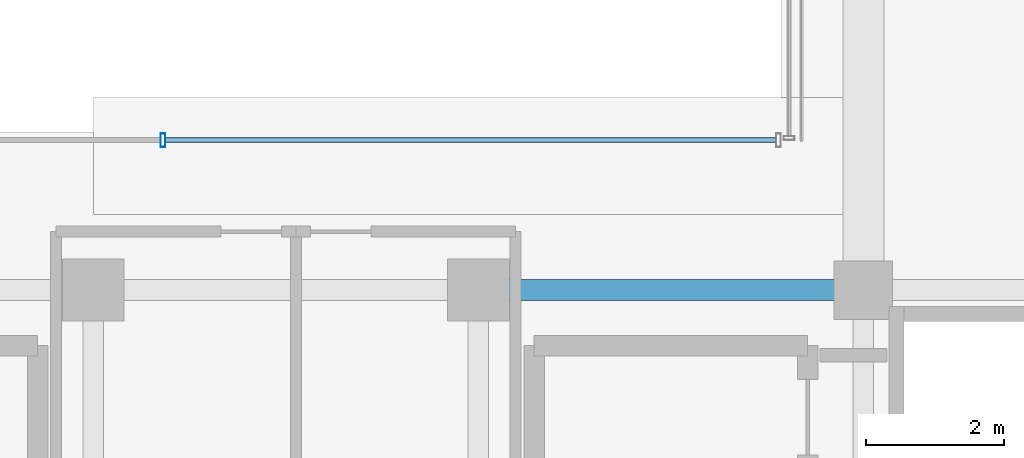
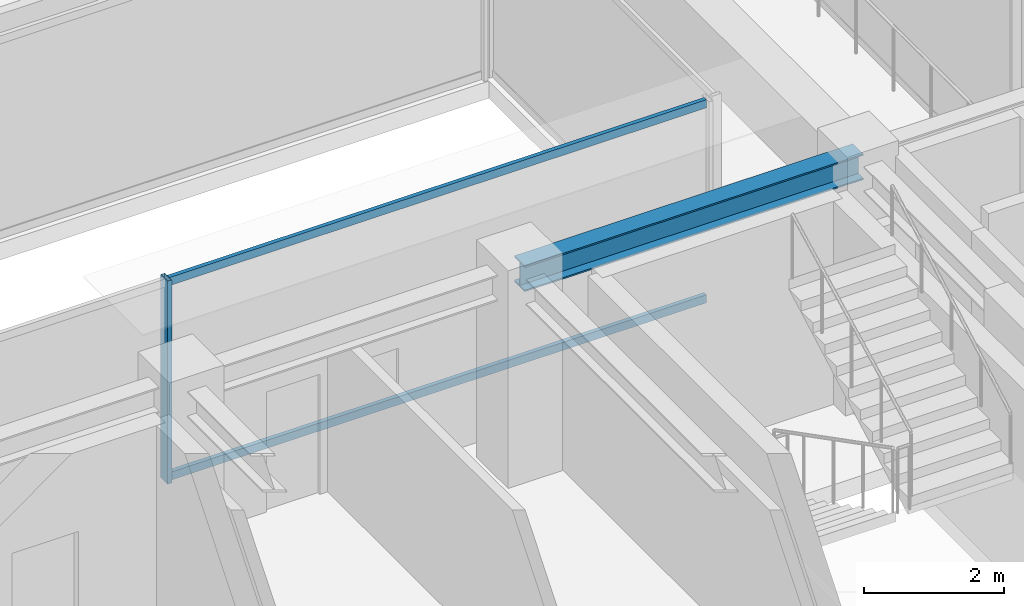
# One storey, part 13 of 41: 3 members, 1 beam, 1 element without a shape of its own.
"""IFC4 building model written with IfcOpenShell, lengths in metres."""

from ifc_helpers import new_model, si_unit, direction, frame, origin, origin_2d, place, context, subcontext, project, spatial, hollow_rectangle, i_section, extrude, source, transform, mapped, material, material_profile, profile_set, type_object, element, aggregate, save


model = new_model("IFC4")

# Units and contexts
model_context = context("Model", 3, precision=1e-05, world=origin(), true_north=direction((0.0, 1.0)))
body_context = subcontext(model_context, "Body", "Model", "MODEL_VIEW")
ifc_project = project(units=[si_unit("LENGTHUNIT", "METRE"), si_unit("AREAUNIT", "SQUARE_METRE"), si_unit("VOLUMEUNIT", "CUBIC_METRE"), si_unit("PLANEANGLEUNIT", "RADIAN"), si_unit("MASSUNIT", "GRAM", prefix="KILO")], contexts=[model_context])

# Site, building, storey
site_placement = place(None, origin())
site = spatial("IfcSite", under=ifc_project, at=site_placement, CompositionType="ELEMENT")
building_placement = place(site_placement, origin())
building = spatial("IfcBuilding", under=site, at=building_placement, Name="Nahalor Promenade Grand Hotel", CompositionType="ELEMENT")
storey_placement = place(building_placement, frame((0.0, 0.0, 304.199951171875)))
storey = spatial("IfcBuildingStorey", under=building, at=storey_placement, Name="L78", CompositionType="ELEMENT", Elevation=304.199951171875)

# Beam
ifc_material_1 = material(Name="Steel S355JR", Category="steel")
ifc_material_profile_1 = material_profile(ifc_material_1, i_section(OverallWidth=0.3, OverallDepth=0.45, WebThickness=0.014, FlangeThickness=0.026, at=origin_2d()), Name="HEB 450")
ifc_profile_set_1 = profile_set([ifc_material_profile_1], Name="Steel S355JR")
beam_type = type_object("IfcBeamType", Name="Beam-Girder-HEB450", PredefinedType="BEAM", material=ifc_profile_set_1)
shared_shape_1 = source(origin(), body_context, "Body", "SweptSolid", [
    extrude(i_section(OverallWidth=0.3, OverallDepth=0.45, WebThickness=0.014, FlangeThickness=0.026, at=origin_2d()), origin(), (0.0, 0.0, 1.0), 5.599853515625),
])
beam_placement = place(storey_placement, frame((2.800048828125, -5.39990234375, 3.324951171875), z_axis=(1.0, 0.0, 0.0), x_axis=(0.0, 1.0, 0.0)))
element("IfcBeam", 1, at=beam_placement, inside=storey, type_object=beam_type, Name="BM-L78-GX-1-4", PredefinedType="BEAM", context=body_context, shape_type="MappedRepresentation", body=[
    mapped(shared_shape_1, transform((0.0, 0.0, 0.0), scale=1.0)),
])

# Curtain wall, members
ifc_material_2 = material(Name="Anodised Bronze Aluminium EN AW-6063 T6", Category="aluminium")
curtain_wall_type = type_object("IfcCurtainWallType", Name="CW3 Elliptical-Void Collar Unitised Curtain Wall", PredefinedType="USERDEFINED", material=ifc_material_2)
curtain_wall_placement = place(storey_placement, origin())
curtain_wall = element("IfcCurtainWall", 2, at=curtain_wall_placement, inside=storey, type_object=curtain_wall_type, Name="L78 Curtain Wall CW-L78-VOID-WS1", ObjectType="UNITISED_CURTAIN_WALL", PredefinedType="USERDEFINED")
ifc_material_profile_2 = material_profile(ifc_material_2, hollow_rectangle(XDim=0.07, YDim=0.14, WallThickness=0.004, at=origin_2d()), Name="CWT 70x140x4")
ifc_profile_set_2 = profile_set([ifc_material_profile_2], Name="Anodised Bronze Aluminium EN AW-6063 T6")
member_type_1 = type_object("IfcMemberType", Name="CWT3 Void Collar Transom 70x140", PredefinedType="USERDEFINED", material=ifc_profile_set_2)
shared_shape_2 = source(origin(), body_context, "Body", "SweptSolid", [
    extrude(hollow_rectangle(XDim=0.07, YDim=0.14, WallThickness=0.004, at=origin_2d()), origin(), (0.0, 0.0, 1.0), 8.881591796875),
])
member_1_placement = place(storey_placement, frame((-1.751708984375, -3.219970703125, 0.070068359375), z_axis=(1.0, 0.0, 0.0), x_axis=(0.0, 1.0, 0.0)))
member_1 = element("IfcMember", 3, at=member_1_placement, type_object=member_type_1, Name="CW-L78-VOID-WS1 Transom 2-0", ObjectType="TRANSOM", PredefinedType="USERDEFINED", context=body_context, shape_type="MappedRepresentation", body=[
    mapped(shared_shape_2, transform((0.0, 0.0, 0.0), scale=1.0)),
])
member_2_placement = place(storey_placement, frame((-1.751708984375, -3.219970703125, 3.47998046875), z_axis=(1.0, 0.0, 0.0), x_axis=(0.0, 1.0, 0.0)))
member_2 = element("IfcMember", 4, at=member_2_placement, type_object=member_type_1, Name="CW-L78-VOID-WS1 Transom 2-1", ObjectType="TRANSOM", PredefinedType="USERDEFINED", context=body_context, shape_type="MappedRepresentation", body=[
    mapped(shared_shape_2, transform((0.0, 0.0, 0.0), scale=1.0)),
])
ifc_material_profile_3 = material_profile(ifc_material_2, hollow_rectangle(XDim=0.07, YDim=0.2, WallThickness=0.005, at=origin_2d()), Name="CWM 70x200x5")
ifc_profile_set_3 = profile_set([ifc_material_profile_3], Name="Anodised Bronze Aluminium EN AW-6063 T6")
member_type_2 = type_object("IfcMemberType", Name="CWM3 Void Collar Mullion 70x200", PredefinedType="MULLION", material=ifc_profile_set_3)
shared_shape_3 = source(origin(), body_context, "Body", "SweptSolid", [
    extrude(hollow_rectangle(XDim=0.07, YDim=0.2, WallThickness=0.005, at=origin_2d()), origin(), (0.0, 0.0, 1.0), 3.550048828125),
])
member_3_placement = place(storey_placement, frame((-1.78662109375, -3.219970703125, 0.0), z_axis=(0.0, 0.0, 1.0), x_axis=(1.0, 0.0, 0.0)))
member_3 = element("IfcMember", 5, at=member_3_placement, type_object=member_type_2, Name="CW-L78-VOID-WS1 Mullion 2", PredefinedType="MULLION", context=body_context, shape_type="MappedRepresentation", body=[
    mapped(shared_shape_3, transform((0.0, 0.0, 0.0), scale=1.0)),
])
aggregate(curtain_wall, [member_3, member_1, member_2])

save(model, "model.ifc")
